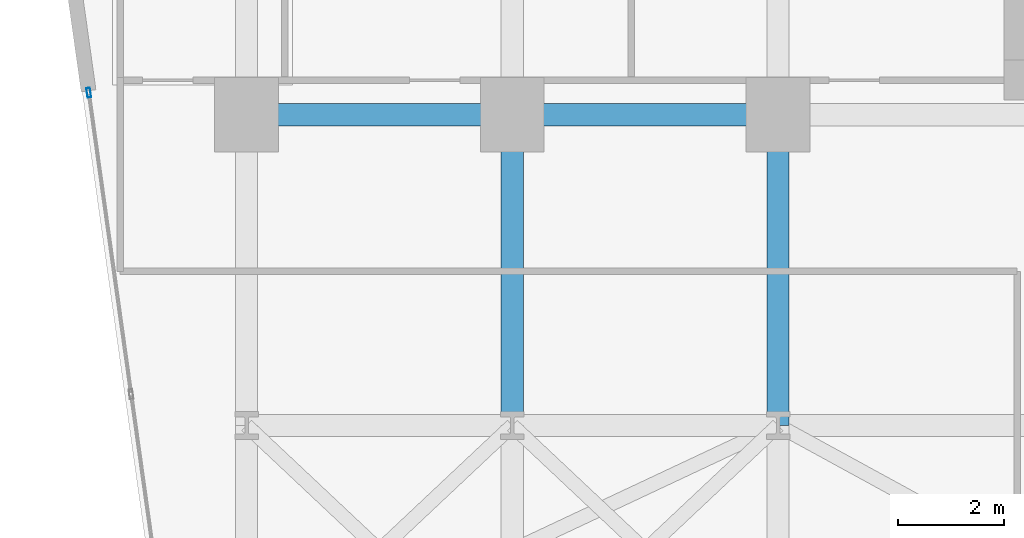
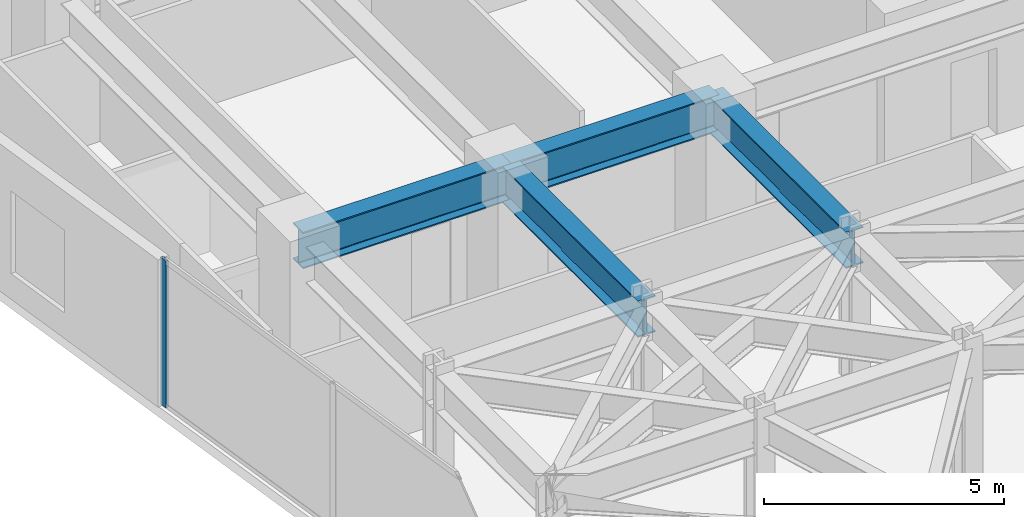
# One storey, part 17 of 25: 4 beams, 1 member, 1 element without a shape of its own.
"""IFC4 building model written with IfcOpenShell, lengths in metres."""

import ifcopenshell
import ifcopenshell.guid

model = None  # the IFC model being written
_history = None  # IfcOwnerHistory: only IFC2X3 demands one
_inside = {}  # id of a spatial element -> (the spatial element, [elements in it])
_under = {}  # id of a project, library or spatial element -> (it, [spatial elements below it])
_declared = {}  # id of a project -> (the project, [libraries it declares])
_typed = {}  # id of a type object -> (the type object, [elements of that type])
_made_of = {}  # id of a material, layer set ... -> (it, [elements and type objects made of it])


def new_model(schema):
    """Start an empty IFC model of exactly this schema.

    Asked for "IFC4X3", IfcOpenShell would pick the latest addendum, in which some entities
    have other attributes; the version numbers below select the first issue.
    IFC2X3 requires an IfcOwnerHistory on every rooted entity: one is made here for all.
    """
    global model, _history
    if schema == "IFC4X3":
        model = ifcopenshell.file(schema_version=(4, 3, 0, 0))
    else:
        model = ifcopenshell.file(schema=schema)
    _inside.clear()
    _under.clear()
    _declared.clear()
    _typed.clear()
    _made_of.clear()
    _history = None
    if model.schema == "IFC2X3":
        org = make("IfcOrganization", Name="unknown")
        user = make(
            "IfcPersonAndOrganization",
            ThePerson=make("IfcPerson", FamilyName="unknown"),
            TheOrganization=org,
        )
        app = make(
            "IfcApplication",
            ApplicationDeveloper=org,
            Version="unknown",
            ApplicationFullName="unknown",
            ApplicationIdentifier="unknown",
        )
        _history = make(
            "IfcOwnerHistory",
            OwningUser=user,
            OwningApplication=app,
            ChangeAction="ADDED",
            CreationDate=0,
        )
    return model


def make(cls, **values):
    """One entity of the class cls with the attributes given. An attribute that is None is left unset."""
    return model.create_entity(
        cls, **{name: value for name, value in values.items() if value is not None}
    )


def rooted(cls, **values):
    """An entity with a GlobalId (a new one), such as an element, a storey or a relation."""
    return make(cls, GlobalId=ifcopenshell.guid.new(), OwnerHistory=_history, **values)


def si_unit(unit_type, name, prefix=None):
    """IfcSIUnit, for example si_unit("LENGTHUNIT", "METRE", prefix="MILLI")."""
    return make("IfcSIUnit", UnitType=unit_type, Prefix=prefix, Name=name)


def assignment(units):
    """IfcUnitAssignment: the units of a project."""
    return None if units is None else make("IfcUnitAssignment", Units=units)


def point(xyz):
    """IfcCartesianPoint."""
    return None if xyz is None else make("IfcCartesianPoint", Coordinates=xyz)


def direction(xyz):
    """IfcDirection."""
    return None if xyz is None else make("IfcDirection", DirectionRatios=xyz)


def frame(location, z_axis=None, x_axis=None):
    """IfcAxis2Placement3D, a coordinate frame: its origin and axes. An axis left out is left unset."""
    return make(
        "IfcAxis2Placement3D",
        Location=point(location),
        Axis=direction(z_axis),
        RefDirection=direction(x_axis),
    )


def frame_2d(location, x_axis=None):
    """IfcAxis2Placement2D, a coordinate frame in the plane: its origin and x axis."""
    return make(
        "IfcAxis2Placement2D", Location=point(location), RefDirection=direction(x_axis)
    )


def origin():
    """The frame at (0, 0, 0) with its axes left unset."""
    return frame((0.0, 0.0, 0.0))


def origin_2d():
    """The frame at (0, 0) in the plane with its x axis left unset."""
    return frame_2d((0.0, 0.0))


def place(relative_to, where):
    """IfcLocalPlacement: puts the frame where relative to a parent placement (None: the world)."""
    return make(
        "IfcLocalPlacement", PlacementRelTo=relative_to, RelativePlacement=where
    )


def context(
    kind, dimensions, precision=None, world=None, true_north=None, identifier=None
):
    """IfcGeometricRepresentationContext, for example the 3D "Model" context."""
    return make(
        "IfcGeometricRepresentationContext",
        ContextIdentifier=identifier,
        ContextType=kind,
        CoordinateSpaceDimension=dimensions,
        Precision=precision,
        WorldCoordinateSystem=world,
        TrueNorth=true_north,
    )


def subcontext(parent, identifier, kind, view, scale=None):
    """IfcGeometricRepresentationSubContext, for example "Body" below "Model"."""
    return make(
        "IfcGeometricRepresentationSubContext",
        ContextIdentifier=identifier,
        ContextType=kind,
        ParentContext=parent,
        TargetScale=scale,
        TargetView=view,
    )


def project(units=None, contexts=None):
    """IfcProject with its units and contexts."""
    return rooted(
        "IfcProject",
        Name="project",
        RepresentationContexts=contexts,
        UnitsInContext=assignment(units),
    )


def spatial(cls, under=None, at=None, **own):
    """A site, building, storey or space (cls), placed at a placement, below another one or the project."""
    s = rooted(cls, ObjectPlacement=at, **own)
    if under is not None:
        _under.setdefault(under.id(), (under, []))[1].append(s)
    return s


def profile(cls, at=None, kind="AREA", **sizes):
    """A parametric profile (cls). Its sizes go by their IFC names, for example OverallWidth=200.0."""
    return make(cls, ProfileType=kind, Position=at, **sizes)


def hollow_rectangle(**sizes):
    """IfcRectangleHollowProfileDef."""
    return profile("IfcRectangleHollowProfileDef", **sizes)


def i_section(**sizes):
    """IfcIShapeProfileDef."""
    return profile("IfcIShapeProfileDef", **sizes)


def extrude(swept, where, along, depth):
    """IfcExtrudedAreaSolid: the profile swept, set in the frame where, extruded along a direction by depth."""
    return make(
        "IfcExtrudedAreaSolid",
        SweptArea=swept,
        Position=where,
        ExtrudedDirection=direction(along),
        Depth=depth,
    )


def shape(context_of_items, identifier, shape_type, items):
    """IfcShapeRepresentation: the items that make up one representation, for example the "Body"."""
    return make(
        "IfcShapeRepresentation",
        ContextOfItems=context_of_items,
        RepresentationIdentifier=identifier,
        RepresentationType=shape_type,
        Items=items,
    )


def material(Name=None, Category=None):
    """IfcMaterial."""
    return make("IfcMaterial", Name=Name, Category=Category)


def layer(
    of_material, thickness, ventilated=None, Name=None, Category=None, Priority=None
):
    """IfcMaterialLayer: one layer of a wall or slab, of a material (None: an air gap)."""
    return make(
        "IfcMaterialLayer",
        Material=of_material,
        LayerThickness=thickness,
        IsVentilated=ventilated,
        Name=Name,
        Category=Category,
        Priority=Priority,
    )


def layer_set(layers, Name=None):
    """IfcMaterialLayerSet."""
    return make("IfcMaterialLayerSet", MaterialLayers=layers, LayerSetName=Name)


def material_profile(
    of_material, cross_section, Name=None, Category=None, Priority=None
):
    """IfcMaterialProfile: a cross section and its material."""
    return make(
        "IfcMaterialProfile",
        Name=Name,
        Material=of_material,
        Profile=cross_section,
        Priority=Priority,
        Category=Category,
    )


def profile_set(profiles, Name=None, composite=None):
    """IfcMaterialProfileSet."""
    return make(
        "IfcMaterialProfileSet",
        Name=Name,
        MaterialProfiles=profiles,
        CompositeProfile=composite,
    )


def made_of(thing, what):
    """Note that an element or type object is made of a material, layer set ...; save() writes the relation."""
    if what is not None:
        _made_of.setdefault(what.id(), (what, []))[1].append(thing)
    return thing


def type_object(cls, material=None, **own):
    """A type object (cls), such as IfcWallType, which elements share."""
    return made_of(rooted(cls, **own), material)


def element(
    cls,
    number,
    at=None,
    inside=None,
    cuts=None,
    type_object=None,
    material=None,
    context=None,
    identifier="Body",
    shape_type=None,
    held_by="IfcProductDefinitionShape",
    body=None,
    shapes=None,
    **own,
):
    """One element of the class cls, such as IfcWall. Its Tag is "e" and its number.

    at: its placement. inside: the storey or other place that contains it. cuts: it is an
    opening in that element (IfcRelVoidsElement). A single representation is given by context,
    identifier, shape_type and body (its items); several are given by shapes. held_by: the class
    of the entity that holds the representations. save() writes the other relations.
    """
    e = rooted(cls, Tag="e%d" % number, ObjectPlacement=at, **own)
    if body is not None:
        shapes = [shape(context, identifier, shape_type, body)]
    if shapes is not None:
        e.Representation = make(held_by, Representations=shapes)
    if inside is not None:
        _inside.setdefault(inside.id(), (inside, []))[1].append(e)
    if cuts is not None:
        rooted(
            "IfcRelVoidsElement", RelatingBuildingElement=cuts, RelatedOpeningElement=e
        )
    if type_object is not None:
        _typed.setdefault(type_object.id(), (type_object, []))[1].append(e)
    return made_of(e, material)


def aggregate(whole, parts):
    """IfcRelAggregates: a whole, such as a stair, and the parts it consists of."""
    return rooted("IfcRelAggregates", RelatingObject=whole, RelatedObjects=parts)


def save(model, path):
    """Write the relations noted so far, then the file.

    IfcRelAggregates (storeys below a building ...), IfcRelContainedInSpatialStructure (elements
    in a storey), IfcRelDefinesByType, IfcRelAssociatesMaterial and IfcRelDeclares: one each for
    every whole, place, type object, material and project.
    """
    for whole, parts in _under.values():
        aggregate(whole, parts)
    for where, things in _inside.values():
        rooted(
            "IfcRelContainedInSpatialStructure",
            RelatedElements=things,
            RelatingStructure=where,
        )
    for kind, things in _typed.values():
        rooted("IfcRelDefinesByType", RelatedObjects=things, RelatingType=kind)
    for what, things in _made_of.values():
        rooted("IfcRelAssociatesMaterial", RelatedObjects=things, RelatingMaterial=what)
    for by, libraries in _declared.values():
        rooted("IfcRelDeclares", RelatingContext=by, RelatedDefinitions=libraries)
    model.write(path)


model = new_model("IFC4")

# Units and contexts
model_context = context("Model", 3, precision=1e-05, world=origin(), true_north=direction((0.0, 1.0)))
body_context = subcontext(model_context, "Body", "Model", "MODEL_VIEW")
ifc_project = project(units=[si_unit("LENGTHUNIT", "METRE"), si_unit("AREAUNIT", "SQUARE_METRE"), si_unit("VOLUMEUNIT", "CUBIC_METRE"), si_unit("PLANEANGLEUNIT", "RADIAN"), si_unit("MASSUNIT", "GRAM", prefix="KILO")], contexts=[model_context])

# Site, building, storey
site_placement = place(None, origin())
site = spatial("IfcSite", under=ifc_project, at=site_placement, CompositionType="ELEMENT")
building_placement = place(site_placement, origin())
building = spatial("IfcBuilding", under=site, at=building_placement, Name="Kravanh Interchange Tower", CompositionType="ELEMENT")
storey_placement = place(building_placement, frame((0.0, 0.0, 49.5)))
storey = spatial("IfcBuildingStorey", under=building, at=storey_placement, Name="L11", CompositionType="ELEMENT", Elevation=49.5)

# Curtain wall, member
ifc_material_1 = material(Name="Anodised Bronze Aluminium", Category="aluminium")
ifc_layer = layer(ifc_material_1, 0.179931640625)
ifc_layer_set = layer_set([ifc_layer], Name="Unitised Curtain Wall System CW-Z1 Lower Office")
curtain_wall_type = type_object("IfcCurtainWallType", Name="Unitised Curtain Wall System CW-Z1 Lower Office", PredefinedType="NOTDEFINED", material=ifc_layer_set)
curtain_wall_placement = place(storey_placement, origin())
curtain_wall = element("IfcCurtainWall", 1, at=curtain_wall_placement, inside=storey, type_object=curtain_wall_type, Name="L11 Unitised Curtain Wall CW-L11-01", PredefinedType="NOTDEFINED")
ifc_material_2 = material(Name="Anodised Bronze Aluminium", Category="aluminium")
ifc_material_profile_1 = material_profile(ifc_material_2, hollow_rectangle(XDim=0.070068359375, YDim=0.179931640625, WallThickness=0.00390625, at=origin_2d()), Name="ALU70X180X4")
ifc_profile_set_1 = profile_set([ifc_material_profile_1], Name="Anodised Bronze Aluminium")
member_type = type_object("IfcMemberType", Name="Curtain Wall Mullion ALU70X180X4 Bronze", PredefinedType="MULLION", material=ifc_profile_set_1)
member_placement = place(storey_placement, frame((5.6298828125, 37.765380859375, 0.0), z_axis=(0.0, 0.0, 1.0), x_axis=(-0.990267585682, -0.139176538065, 0.0)))
member = element("IfcMember", 2, at=member_placement, type_object=member_type, Name="CW-Z1 mullion 7", PredefinedType="MULLION", context=body_context, shape_type="SweptSolid", body=[
    extrude(hollow_rectangle(XDim=0.070068359375, YDim=0.179931640625, WallThickness=0.00390625, at=origin_2d()), origin(), (0.0, 0.0, 1.0), 3.739990234375),
])
aggregate(curtain_wall, [member])

# Beams
ifc_material_3 = material(Name="Structural Steel S355", Category="steel")
ifc_material_profile_2 = material_profile(ifc_material_3, i_section(OverallWidth=0.41796875, OverallDepth=0.927001953125, WebThickness=0.019287109375, FlangeThickness=0.031982421875, FilletRadius=0.028076171875, at=origin_2d()), Name="W36X231")
ifc_profile_set_2 = profile_set([ifc_material_profile_2], Name="Structural Steel S355")
beam_type = type_object("IfcBeamType", Name="Floor Beam W36X231 Structural Steel S355", PredefinedType="BEAM", material=ifc_profile_set_2)
beam_1_placement = place(storey_placement, frame((18.60009765625, 37.35009765625, 3.276611328125), z_axis=(-1.0, 0.0, 0.0), x_axis=(0.0, -1.0, 0.0)))
element("IfcBeam", 3, at=beam_1_placement, inside=storey, type_object=beam_type, Name="L11 Primary Floor Girder 28", PredefinedType="BEAM", context=body_context, shape_type="SweptSolid", body=[
    extrude(i_section(OverallWidth=0.41796875, OverallDepth=0.927001953125, WebThickness=0.019287109375, FlangeThickness=0.031982421875, FilletRadius=0.028076171875, at=origin_2d()), origin(), (0.0, 0.0, 1.0), 5.0),
])
beam_2_placement = place(storey_placement, frame((18.60009765625, 37.35009765625, 3.276611328125), z_axis=(0.0, -1.0, 0.0), x_axis=(1.0, 0.0, 0.0)))
element("IfcBeam", 4, at=beam_2_placement, inside=storey, type_object=beam_type, Name="L11 Primary Floor Girder 29", PredefinedType="BEAM", context=body_context, shape_type="SweptSolid", body=[
    extrude(i_section(OverallWidth=0.41796875, OverallDepth=0.927001953125, WebThickness=0.019287109375, FlangeThickness=0.031982421875, FilletRadius=0.028076171875, at=origin_2d()), origin(), (0.0, 0.0, 1.0), 5.85009765625),
])
beam_3_placement = place(storey_placement, frame((13.60009765625, 37.35009765625, 3.276611328125), z_axis=(-1.0, 0.0, 0.0), x_axis=(0.0, -1.0, 0.0)))
element("IfcBeam", 5, at=beam_3_placement, inside=storey, type_object=beam_type, Name="L11 Primary Floor Girder 32", PredefinedType="BEAM", context=body_context, shape_type="SweptSolid", body=[
    extrude(i_section(OverallWidth=0.41796875, OverallDepth=0.927001953125, WebThickness=0.019287109375, FlangeThickness=0.031982421875, FilletRadius=0.028076171875, at=origin_2d()), origin(), (0.0, 0.0, 1.0), 5.0),
])
beam_4_placement = place(storey_placement, frame((13.60009765625, 37.35009765625, 3.276611328125), z_axis=(0.0, -1.0, 0.0), x_axis=(1.0, 0.0, 0.0)))
element("IfcBeam", 6, at=beam_4_placement, inside=storey, type_object=beam_type, Name="L11 Primary Floor Girder 33", PredefinedType="BEAM", context=body_context, shape_type="SweptSolid", body=[
    extrude(i_section(OverallWidth=0.41796875, OverallDepth=0.927001953125, WebThickness=0.019287109375, FlangeThickness=0.031982421875, FilletRadius=0.028076171875, at=origin_2d()), origin(), (0.0, 0.0, 1.0), 5.85009765625),
])

save(model, "model.ifc")
